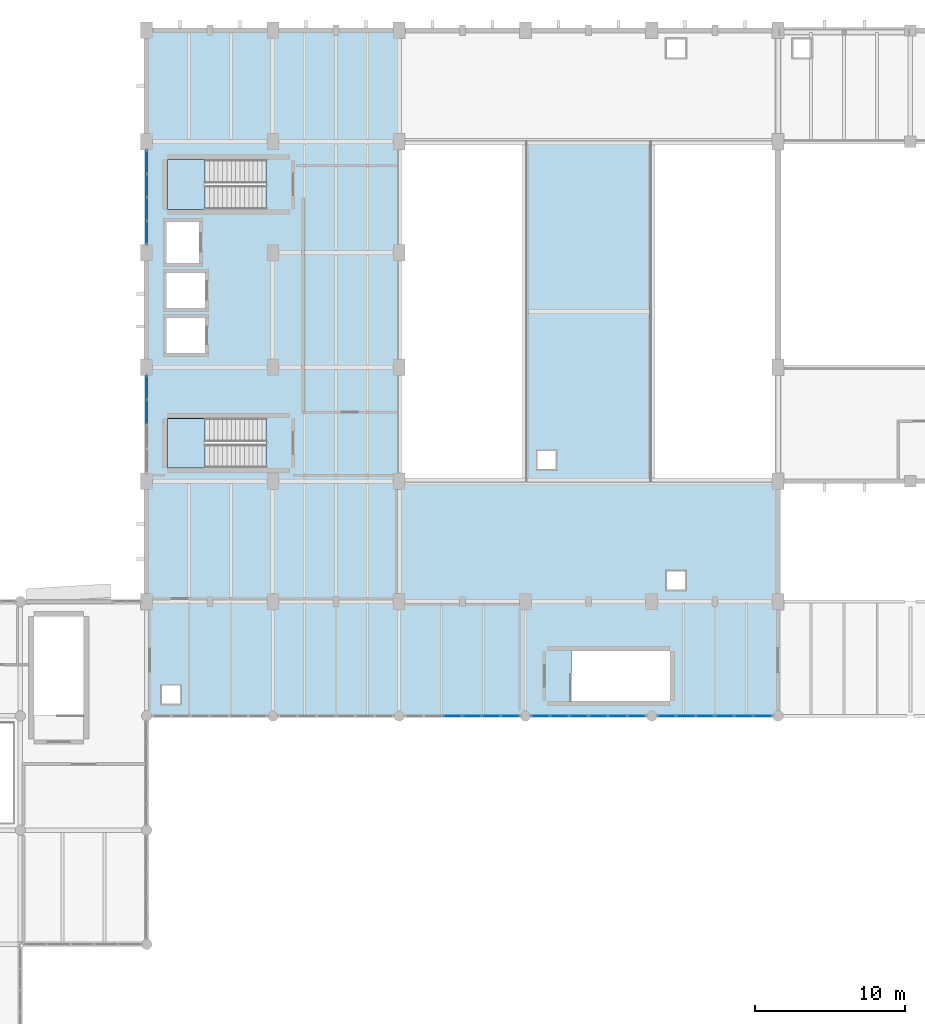
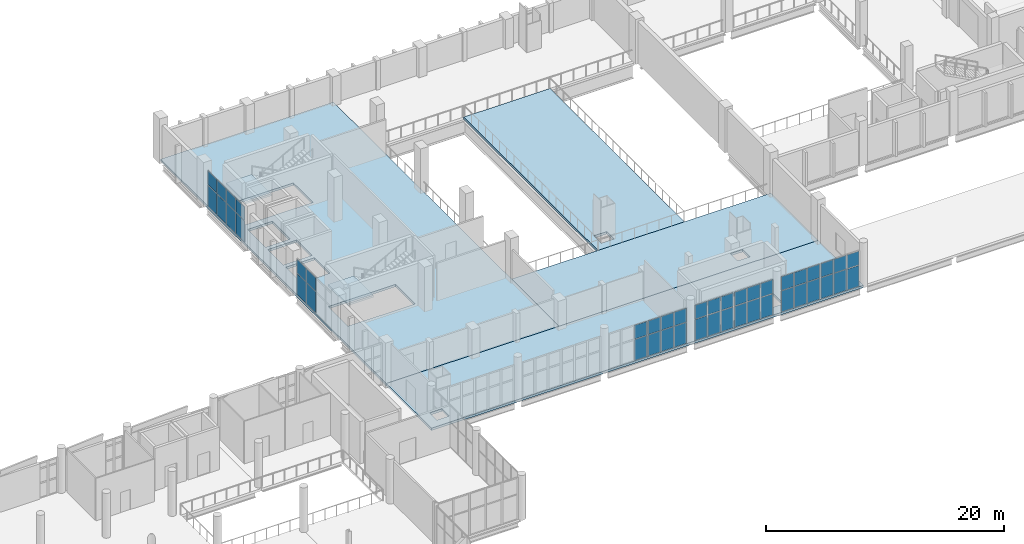
# One storey, part 52 of 74: 44 plates, 6 slabs, 10 elements without a shape of their own.
"""IFC4 building model written with IfcOpenShell, lengths in metres."""

from ifc_helpers import new_model, si_unit, direction, frame, origin, origin_2d, place, context, subcontext, project, spatial, polyline, rectangle, outline, extrude, material, layer, layer_set, type_object, element, aggregate, save


model = new_model("IFC4")

# Units and contexts
model_context = context("Model", 3, precision=1e-05, world=origin(), true_north=direction((0.0, 1.0)))
body_context = subcontext(model_context, "Body", "Model", "MODEL_VIEW")
ifc_project = project(units=[si_unit("LENGTHUNIT", "METRE"), si_unit("AREAUNIT", "SQUARE_METRE"), si_unit("VOLUMEUNIT", "CUBIC_METRE"), si_unit("PLANEANGLEUNIT", "RADIAN"), si_unit("MASSUNIT", "GRAM", prefix="KILO")], contexts=[model_context])

# Site, building, storey
site_placement = place(None, origin())
site = spatial("IfcSite", under=ifc_project, at=site_placement, CompositionType="ELEMENT")
building_placement = place(site_placement, origin())
building = spatial("IfcBuilding", under=site, at=building_placement, Name="Shengluoqiao Park Theatre", CompositionType="ELEMENT")
storey_placement = place(building_placement, frame((0.0, 0.0, 14.60009765625)))
storey = spatial("IfcBuildingStorey", under=building, at=storey_placement, Name="L03", CompositionType="ELEMENT", Elevation=14.60009765625)

# Curtain wall, plates
ifc_material_1 = material(Name="Aluminium 6063-T6", Category="aluminium")
curtain_wall_type_1 = type_object("IfcCurtainWallType", Name="ENV-CW-PROM", PredefinedType="NOTDEFINED", material=ifc_material_1)
curtain_wall_1_placement = place(storey_placement, origin())
curtain_wall_1 = element("IfcCurtainWall", 1, at=curtain_wall_1_placement, inside=storey, type_object=curtain_wall_type_1, Name="L03 Curtain Wall CW-L03-0085", PredefinedType="NOTDEFINED")
ifc_material_2 = material(Name="Insulated glass", Category="glass")
ifc_layer_1 = layer(ifc_material_2, 0.0380859375, Name="Insulated glass")
ifc_layer_set_1 = layer_set([ifc_layer_1], Name="Insulated glass")
plate_type_1 = type_object("IfcPlateType", Name="ENV-GLZ-GL-38", PredefinedType="CURTAIN_PANEL", material=ifc_layer_set_1)
plate_1_placement = place(storey_placement, frame((64.74267578125, 68.39990234375, 0.06494140625), z_axis=(0.0, 0.0, 1.0), x_axis=(1.0, 0.0, 0.0)))
plate_1 = element("IfcPlate", 2, at=plate_1_placement, type_object=plate_type_1, Name="CW-04 panel 3.1", PredefinedType="CURTAIN_PANEL", context=body_context, shape_type="SweptSolid", body=[
    extrude(rectangle(XDim=1.1845703125, YDim=0.0380859375, at=origin_2d()), origin(), (0.0, 0.0, 1.0), 2.1416015625),
])
plate_2_placement = place(storey_placement, frame((64.74267578125, 68.39990234375, 2.271484375), z_axis=(0.0, 0.0, 1.0), x_axis=(1.0, 0.0, 0.0)))
plate_2 = element("IfcPlate", 3, at=plate_2_placement, type_object=plate_type_1, Name="CW-04 panel 3.2", PredefinedType="CURTAIN_PANEL", context=body_context, shape_type="SweptSolid", body=[
    extrude(rectangle(XDim=1.1845703125, YDim=0.0380859375, at=origin_2d()), origin(), (0.0, 0.0, 1.0), 1.3955078125),
])
aggregate(curtain_wall_1, [plate_1, plate_2])

curtain_wall_2_placement = place(storey_placement, origin())
curtain_wall_2 = element("IfcCurtainWall", 4, at=curtain_wall_2_placement, inside=storey, type_object=curtain_wall_type_1, Name="L03 Curtain Wall CW-L03-0086", PredefinedType="NOTDEFINED")
plate_3_placement = place(storey_placement, frame((66.05712890625, 68.39990234375, 0.06494140625), z_axis=(0.0, 0.0, 1.0), x_axis=(1.0, 0.0, 0.0)))
plate_3 = element("IfcPlate", 5, at=plate_3_placement, type_object=plate_type_1, Name="CW-04 panel 1.1", PredefinedType="CURTAIN_PANEL", context=body_context, shape_type="SweptSolid", body=[
    extrude(rectangle(XDim=1.1845703125, YDim=0.0380859375, at=origin_2d()), origin(), (0.0, 0.0, 1.0), 2.1416015625),
])
plate_4_placement = place(storey_placement, frame((66.05712890625, 68.39990234375, 2.271484375), z_axis=(0.0, 0.0, 1.0), x_axis=(1.0, 0.0, 0.0)))
plate_4 = element("IfcPlate", 6, at=plate_4_placement, type_object=plate_type_1, Name="CW-04 panel 1.2", PredefinedType="CURTAIN_PANEL", context=body_context, shape_type="SweptSolid", body=[
    extrude(rectangle(XDim=1.1845703125, YDim=0.0380859375, at=origin_2d()), origin(), (0.0, 0.0, 1.0), 1.3955078125),
])
plate_5_placement = place(storey_placement, frame((67.322998046875, 68.39990234375, 0.06494140625), z_axis=(0.0, 0.0, 1.0), x_axis=(1.0, 0.0, 0.0)))
plate_5 = element("IfcPlate", 7, at=plate_5_placement, type_object=plate_type_1, Name="CW-04 panel 2.1", PredefinedType="CURTAIN_PANEL", context=body_context, shape_type="SweptSolid", body=[
    extrude(rectangle(XDim=1.217041015625, YDim=0.0380859375, at=origin_2d()), origin(), (0.0, 0.0, 1.0), 2.1416015625),
])
plate_6_placement = place(storey_placement, frame((67.322998046875, 68.39990234375, 2.271484375), z_axis=(0.0, 0.0, 1.0), x_axis=(1.0, 0.0, 0.0)))
plate_6 = element("IfcPlate", 8, at=plate_6_placement, type_object=plate_type_1, Name="CW-04 panel 2.2", PredefinedType="CURTAIN_PANEL", context=body_context, shape_type="SweptSolid", body=[
    extrude(rectangle(XDim=1.217041015625, YDim=0.0380859375, at=origin_2d()), origin(), (0.0, 0.0, 1.0), 1.3955078125),
])
plate_7_placement = place(storey_placement, frame((68.5888671875, 68.39990234375, 0.06494140625), z_axis=(0.0, 0.0, 1.0), x_axis=(1.0, 0.0, 0.0)))
plate_7 = element("IfcPlate", 9, at=plate_7_placement, type_object=plate_type_1, Name="CW-04 panel 3.1", PredefinedType="CURTAIN_PANEL", context=body_context, shape_type="SweptSolid", body=[
    extrude(rectangle(XDim=1.1845703125, YDim=0.0380859375, at=origin_2d()), origin(), (0.0, 0.0, 1.0), 2.1416015625),
])
plate_8_placement = place(storey_placement, frame((68.5888671875, 68.39990234375, 2.271484375), z_axis=(0.0, 0.0, 1.0), x_axis=(1.0, 0.0, 0.0)))
plate_8 = element("IfcPlate", 10, at=plate_8_placement, type_object=plate_type_1, Name="CW-04 panel 3.2", PredefinedType="CURTAIN_PANEL", context=body_context, shape_type="SweptSolid", body=[
    extrude(rectangle(XDim=1.1845703125, YDim=0.0380859375, at=origin_2d()), origin(), (0.0, 0.0, 1.0), 1.3955078125),
])
aggregate(curtain_wall_2, [plate_3, plate_4, plate_5, plate_6, plate_7, plate_8])

curtain_wall_3_placement = place(storey_placement, origin())
curtain_wall_3 = element("IfcCurtainWall", 11, at=curtain_wall_3_placement, inside=storey, type_object=curtain_wall_type_1, Name="L03 Curtain Wall CW-L03-0087", PredefinedType="NOTDEFINED")
plate_9_placement = place(storey_placement, frame((70.611328125, 68.39990234375, 0.06494140625), z_axis=(0.0, 0.0, 1.0), x_axis=(1.0, 0.0, 0.0)))
plate_9 = element("IfcPlate", 12, at=plate_9_placement, type_object=plate_type_1, Name="CW-04 panel 1.1", PredefinedType="CURTAIN_PANEL", context=body_context, shape_type="SweptSolid", body=[
    extrude(rectangle(XDim=1.1845703125, YDim=0.0380859375, at=origin_2d()), origin(), (0.0, 0.0, 1.0), 2.1416015625),
])
plate_10_placement = place(storey_placement, frame((70.611328125, 68.39990234375, 2.271484375), z_axis=(0.0, 0.0, 1.0), x_axis=(1.0, 0.0, 0.0)))
plate_10 = element("IfcPlate", 13, at=plate_10_placement, type_object=plate_type_1, Name="CW-04 panel 1.2", PredefinedType="CURTAIN_PANEL", context=body_context, shape_type="SweptSolid", body=[
    extrude(rectangle(XDim=1.1845703125, YDim=0.0380859375, at=origin_2d()), origin(), (0.0, 0.0, 1.0), 1.3955078125),
])
plate_11_placement = place(storey_placement, frame((71.876953125, 68.39990234375, 0.06494140625), z_axis=(0.0, 0.0, 1.0), x_axis=(1.0, 0.0, 0.0)))
plate_11 = element("IfcPlate", 14, at=plate_11_placement, type_object=plate_type_1, Name="CW-04 panel 2.1", PredefinedType="CURTAIN_PANEL", context=body_context, shape_type="SweptSolid", body=[
    extrude(rectangle(XDim=1.217041015625, YDim=0.0380859375, at=origin_2d()), origin(), (0.0, 0.0, 1.0), 2.1416015625),
])
plate_12_placement = place(storey_placement, frame((71.876953125, 68.39990234375, 2.271484375), z_axis=(0.0, 0.0, 1.0), x_axis=(1.0, 0.0, 0.0)))
plate_12 = element("IfcPlate", 15, at=plate_12_placement, type_object=plate_type_1, Name="CW-04 panel 2.2", PredefinedType="CURTAIN_PANEL", context=body_context, shape_type="SweptSolid", body=[
    extrude(rectangle(XDim=1.217041015625, YDim=0.0380859375, at=origin_2d()), origin(), (0.0, 0.0, 1.0), 1.3955078125),
])
plate_13_placement = place(storey_placement, frame((73.142822265625, 68.39990234375, 0.06494140625), z_axis=(0.0, 0.0, 1.0), x_axis=(1.0, 0.0, 0.0)))
plate_13 = element("IfcPlate", 16, at=plate_13_placement, type_object=plate_type_1, Name="CW-04 panel 3.1", PredefinedType="CURTAIN_PANEL", context=body_context, shape_type="SweptSolid", body=[
    extrude(rectangle(XDim=1.1845703125, YDim=0.0380859375, at=origin_2d()), origin(), (0.0, 0.0, 1.0), 2.1416015625),
])
plate_14_placement = place(storey_placement, frame((73.142822265625, 68.39990234375, 2.271484375), z_axis=(0.0, 0.0, 1.0), x_axis=(1.0, 0.0, 0.0)))
plate_14 = element("IfcPlate", 17, at=plate_14_placement, type_object=plate_type_1, Name="CW-04 panel 3.2", PredefinedType="CURTAIN_PANEL", context=body_context, shape_type="SweptSolid", body=[
    extrude(rectangle(XDim=1.1845703125, YDim=0.0380859375, at=origin_2d()), origin(), (0.0, 0.0, 1.0), 1.3955078125),
])
aggregate(curtain_wall_3, [plate_9, plate_10, plate_11, plate_12, plate_13, plate_14])

curtain_wall_4_placement = place(storey_placement, origin())
curtain_wall_4 = element("IfcCurtainWall", 18, at=curtain_wall_4_placement, inside=storey, type_object=curtain_wall_type_1, Name="L03 Curtain Wall CW-L03-0088", PredefinedType="NOTDEFINED")
plate_15_placement = place(storey_placement, frame((74.457275390625, 68.39990234375, 0.06494140625), z_axis=(0.0, 0.0, 1.0), x_axis=(1.0, 0.0, 0.0)))
plate_15 = element("IfcPlate", 19, at=plate_15_placement, type_object=plate_type_1, Name="CW-04 panel 1.1", PredefinedType="CURTAIN_PANEL", context=body_context, shape_type="SweptSolid", body=[
    extrude(rectangle(XDim=1.1845703125, YDim=0.0380859375, at=origin_2d()), origin(), (0.0, 0.0, 1.0), 2.1416015625),
])
plate_16_placement = place(storey_placement, frame((74.457275390625, 68.39990234375, 2.271484375), z_axis=(0.0, 0.0, 1.0), x_axis=(1.0, 0.0, 0.0)))
plate_16 = element("IfcPlate", 20, at=plate_16_placement, type_object=plate_type_1, Name="CW-04 panel 1.2", PredefinedType="CURTAIN_PANEL", context=body_context, shape_type="SweptSolid", body=[
    extrude(rectangle(XDim=1.1845703125, YDim=0.0380859375, at=origin_2d()), origin(), (0.0, 0.0, 1.0), 1.3955078125),
])
plate_17_placement = place(storey_placement, frame((75.722900390625, 68.39990234375, 0.06494140625), z_axis=(0.0, 0.0, 1.0), x_axis=(1.0, 0.0, 0.0)))
plate_17 = element("IfcPlate", 21, at=plate_17_placement, type_object=plate_type_1, Name="CW-04 panel 2.1", PredefinedType="CURTAIN_PANEL", context=body_context, shape_type="SweptSolid", body=[
    extrude(rectangle(XDim=1.217041015625, YDim=0.0380859375, at=origin_2d()), origin(), (0.0, 0.0, 1.0), 2.1416015625),
])
plate_18_placement = place(storey_placement, frame((75.722900390625, 68.39990234375, 2.271484375), z_axis=(0.0, 0.0, 1.0), x_axis=(1.0, 0.0, 0.0)))
plate_18 = element("IfcPlate", 22, at=plate_18_placement, type_object=plate_type_1, Name="CW-04 panel 2.2", PredefinedType="CURTAIN_PANEL", context=body_context, shape_type="SweptSolid", body=[
    extrude(rectangle(XDim=1.217041015625, YDim=0.0380859375, at=origin_2d()), origin(), (0.0, 0.0, 1.0), 1.3955078125),
])
plate_19_placement = place(storey_placement, frame((76.98876953125, 68.39990234375, 0.06494140625), z_axis=(0.0, 0.0, 1.0), x_axis=(1.0, 0.0, 0.0)))
plate_19 = element("IfcPlate", 23, at=plate_19_placement, type_object=plate_type_1, Name="CW-04 panel 3.1", PredefinedType="CURTAIN_PANEL", context=body_context, shape_type="SweptSolid", body=[
    extrude(rectangle(XDim=1.1845703125, YDim=0.0380859375, at=origin_2d()), origin(), (0.0, 0.0, 1.0), 2.1416015625),
])
plate_20_placement = place(storey_placement, frame((76.98876953125, 68.39990234375, 2.271484375), z_axis=(0.0, 0.0, 1.0), x_axis=(1.0, 0.0, 0.0)))
plate_20 = element("IfcPlate", 24, at=plate_20_placement, type_object=plate_type_1, Name="CW-04 panel 3.2", PredefinedType="CURTAIN_PANEL", context=body_context, shape_type="SweptSolid", body=[
    extrude(rectangle(XDim=1.1845703125, YDim=0.0380859375, at=origin_2d()), origin(), (0.0, 0.0, 1.0), 1.3955078125),
])
aggregate(curtain_wall_4, [plate_15, plate_16, plate_17, plate_18, plate_19, plate_20])

curtain_wall_5_placement = place(storey_placement, origin())
curtain_wall_5 = element("IfcCurtainWall", 25, at=curtain_wall_5_placement, inside=storey, type_object=curtain_wall_type_1, Name="L03 Curtain Wall CW-L03-0089", PredefinedType="NOTDEFINED")
plate_21_placement = place(storey_placement, frame((79.01123046875, 68.39990234375, 0.06494140625), z_axis=(0.0, 0.0, 1.0), x_axis=(1.0, 0.0, 0.0)))
plate_21 = element("IfcPlate", 26, at=plate_21_placement, type_object=plate_type_1, Name="CW-04 panel 1.1", PredefinedType="CURTAIN_PANEL", context=body_context, shape_type="SweptSolid", body=[
    extrude(rectangle(XDim=1.1845703125, YDim=0.0380859375, at=origin_2d()), origin(), (0.0, 0.0, 1.0), 2.1416015625),
])
plate_22_placement = place(storey_placement, frame((79.01123046875, 68.39990234375, 2.271484375), z_axis=(0.0, 0.0, 1.0), x_axis=(1.0, 0.0, 0.0)))
plate_22 = element("IfcPlate", 27, at=plate_22_placement, type_object=plate_type_1, Name="CW-04 panel 1.2", PredefinedType="CURTAIN_PANEL", context=body_context, shape_type="SweptSolid", body=[
    extrude(rectangle(XDim=1.1845703125, YDim=0.0380859375, at=origin_2d()), origin(), (0.0, 0.0, 1.0), 1.3955078125),
])
plate_23_placement = place(storey_placement, frame((80.277099609375, 68.39990234375, 0.06494140625), z_axis=(0.0, 0.0, 1.0), x_axis=(1.0, 0.0, 0.0)))
plate_23 = element("IfcPlate", 28, at=plate_23_placement, type_object=plate_type_1, Name="CW-04 panel 2.1", PredefinedType="CURTAIN_PANEL", context=body_context, shape_type="SweptSolid", body=[
    extrude(rectangle(XDim=1.217041015625, YDim=0.0380859375, at=origin_2d()), origin(), (0.0, 0.0, 1.0), 2.1416015625),
])
plate_24_placement = place(storey_placement, frame((80.277099609375, 68.39990234375, 2.271484375), z_axis=(0.0, 0.0, 1.0), x_axis=(1.0, 0.0, 0.0)))
plate_24 = element("IfcPlate", 29, at=plate_24_placement, type_object=plate_type_1, Name="CW-04 panel 2.2", PredefinedType="CURTAIN_PANEL", context=body_context, shape_type="SweptSolid", body=[
    extrude(rectangle(XDim=1.217041015625, YDim=0.0380859375, at=origin_2d()), origin(), (0.0, 0.0, 1.0), 1.3955078125),
])
plate_25_placement = place(storey_placement, frame((81.542724609375, 68.39990234375, 0.06494140625), z_axis=(0.0, 0.0, 1.0), x_axis=(1.0, 0.0, 0.0)))
plate_25 = element("IfcPlate", 30, at=plate_25_placement, type_object=plate_type_1, Name="CW-04 panel 3.1", PredefinedType="CURTAIN_PANEL", context=body_context, shape_type="SweptSolid", body=[
    extrude(rectangle(XDim=1.1845703125, YDim=0.0380859375, at=origin_2d()), origin(), (0.0, 0.0, 1.0), 2.1416015625),
])
plate_26_placement = place(storey_placement, frame((81.542724609375, 68.39990234375, 2.271484375), z_axis=(0.0, 0.0, 1.0), x_axis=(1.0, 0.0, 0.0)))
plate_26 = element("IfcPlate", 31, at=plate_26_placement, type_object=plate_type_1, Name="CW-04 panel 3.2", PredefinedType="CURTAIN_PANEL", context=body_context, shape_type="SweptSolid", body=[
    extrude(rectangle(XDim=1.1845703125, YDim=0.0380859375, at=origin_2d()), origin(), (0.0, 0.0, 1.0), 1.3955078125),
])
aggregate(curtain_wall_5, [plate_21, plate_22, plate_23, plate_24, plate_25, plate_26])

curtain_wall_6_placement = place(storey_placement, origin())
curtain_wall_6 = element("IfcCurtainWall", 32, at=curtain_wall_6_placement, inside=storey, type_object=curtain_wall_type_1, Name="L03 Curtain Wall CW-L03-0090", PredefinedType="NOTDEFINED")
plate_27_placement = place(storey_placement, frame((82.857177734375, 68.39990234375, 0.06494140625), z_axis=(0.0, 0.0, 1.0), x_axis=(1.0, 0.0, 0.0)))
plate_27 = element("IfcPlate", 33, at=plate_27_placement, type_object=plate_type_1, Name="CW-04 panel 1.1", PredefinedType="CURTAIN_PANEL", context=body_context, shape_type="SweptSolid", body=[
    extrude(rectangle(XDim=1.1845703125, YDim=0.0380859375, at=origin_2d()), origin(), (0.0, 0.0, 1.0), 2.1416015625),
])
plate_28_placement = place(storey_placement, frame((82.857177734375, 68.39990234375, 2.271484375), z_axis=(0.0, 0.0, 1.0), x_axis=(1.0, 0.0, 0.0)))
plate_28 = element("IfcPlate", 34, at=plate_28_placement, type_object=plate_type_1, Name="CW-04 panel 1.2", PredefinedType="CURTAIN_PANEL", context=body_context, shape_type="SweptSolid", body=[
    extrude(rectangle(XDim=1.1845703125, YDim=0.0380859375, at=origin_2d()), origin(), (0.0, 0.0, 1.0), 1.3955078125),
])
plate_29_placement = place(storey_placement, frame((84.123046875, 68.39990234375, 0.06494140625), z_axis=(0.0, 0.0, 1.0), x_axis=(1.0, 0.0, 0.0)))
plate_29 = element("IfcPlate", 35, at=plate_29_placement, type_object=plate_type_1, Name="CW-04 panel 2.1", PredefinedType="CURTAIN_PANEL", context=body_context, shape_type="SweptSolid", body=[
    extrude(rectangle(XDim=1.217041015625, YDim=0.0380859375, at=origin_2d()), origin(), (0.0, 0.0, 1.0), 2.1416015625),
])
plate_30_placement = place(storey_placement, frame((84.123046875, 68.39990234375, 2.271484375), z_axis=(0.0, 0.0, 1.0), x_axis=(1.0, 0.0, 0.0)))
plate_30 = element("IfcPlate", 36, at=plate_30_placement, type_object=plate_type_1, Name="CW-04 panel 2.2", PredefinedType="CURTAIN_PANEL", context=body_context, shape_type="SweptSolid", body=[
    extrude(rectangle(XDim=1.217041015625, YDim=0.0380859375, at=origin_2d()), origin(), (0.0, 0.0, 1.0), 1.3955078125),
])
plate_31_placement = place(storey_placement, frame((85.388671875, 68.39990234375, 0.06494140625), z_axis=(0.0, 0.0, 1.0), x_axis=(1.0, 0.0, 0.0)))
plate_31 = element("IfcPlate", 37, at=plate_31_placement, type_object=plate_type_1, Name="CW-04 panel 3.1", PredefinedType="CURTAIN_PANEL", context=body_context, shape_type="SweptSolid", body=[
    extrude(rectangle(XDim=1.1845703125, YDim=0.0380859375, at=origin_2d()), origin(), (0.0, 0.0, 1.0), 2.1416015625),
])
plate_32_placement = place(storey_placement, frame((85.388671875, 68.39990234375, 2.271484375), z_axis=(0.0, 0.0, 1.0), x_axis=(1.0, 0.0, 0.0)))
plate_32 = element("IfcPlate", 38, at=plate_32_placement, type_object=plate_type_1, Name="CW-04 panel 3.2", PredefinedType="CURTAIN_PANEL", context=body_context, shape_type="SweptSolid", body=[
    extrude(rectangle(XDim=1.1845703125, YDim=0.0380859375, at=origin_2d()), origin(), (0.0, 0.0, 1.0), 1.3955078125),
])
aggregate(curtain_wall_6, [plate_27, plate_28, plate_29, plate_30, plate_31, plate_32])

curtain_wall_type_2 = type_object("IfcCurtainWallType", Name="ENV-CW-CLERE", PredefinedType="NOTDEFINED", material=ifc_material_1)
curtain_wall_7_placement = place(storey_placement, origin())
curtain_wall_7 = element("IfcCurtainWall", 39, at=curtain_wall_7_placement, inside=storey, type_object=curtain_wall_type_2, Name="L03 Curtain Wall CW-L03-0007", PredefinedType="NOTDEFINED")
ifc_layer_2 = layer(ifc_material_2, 0.048095703125, Name="Insulated glass")
ifc_layer_set_2 = layer_set([ifc_layer_2], Name="Insulated glass")
plate_type_2 = type_object("IfcPlateType", Name="ENV-GLZ-GL-48", PredefinedType="CURTAIN_PANEL", material=ifc_layer_set_2)
plate_33_placement = place(storey_placement, frame((44.39990234375, 88.611572265625, 0.06494140625), z_axis=(0.0, 0.0, 1.0), x_axis=(0.0, 1.0, 0.0)))
plate_33 = element("IfcPlate", 40, at=plate_33_placement, type_object=plate_type_2, Name="CW-06 panel 3.1", PredefinedType="CURTAIN_PANEL", context=body_context, shape_type="SweptSolid", body=[
    extrude(rectangle(XDim=1.55810546875, YDim=0.048095703125, at=origin_2d()), origin(), (0.0, 0.0, 1.0), 2.152587890625),
])
plate_34_placement = place(storey_placement, frame((44.39990234375, 88.611572265625, 2.2822265625), z_axis=(0.0, 0.0, 1.0), x_axis=(0.0, 1.0, 0.0)))
plate_34 = element("IfcPlate", 41, at=plate_34_placement, type_object=plate_type_2, Name="CW-06 panel 3.2", PredefinedType="CURTAIN_PANEL", context=body_context, shape_type="SweptSolid", body=[
    extrude(rectangle(XDim=1.55810546875, YDim=0.048095703125, at=origin_2d()), origin(), (0.0, 0.0, 1.0), 1.402587890625),
])
plate_35_placement = place(storey_placement, frame((44.39990234375, 90.21826171875, 0.06494140625), z_axis=(0.0, 0.0, 1.0), x_axis=(0.0, 1.0, 0.0)))
plate_35 = element("IfcPlate", 42, at=plate_35_placement, type_object=plate_type_2, Name="CW-06 panel 4.1", PredefinedType="CURTAIN_PANEL", context=body_context, shape_type="SweptSolid", body=[
    extrude(rectangle(XDim=1.525390625, YDim=0.048095703125, at=origin_2d()), origin(), (0.0, 0.0, 1.0), 2.152587890625),
])
plate_36_placement = place(storey_placement, frame((44.39990234375, 90.21826171875, 2.2822265625), z_axis=(0.0, 0.0, 1.0), x_axis=(0.0, 1.0, 0.0)))
plate_36 = element("IfcPlate", 43, at=plate_36_placement, type_object=plate_type_2, Name="CW-06 panel 4.2", PredefinedType="CURTAIN_PANEL", context=body_context, shape_type="SweptSolid", body=[
    extrude(rectangle(XDim=1.525390625, YDim=0.048095703125, at=origin_2d()), origin(), (0.0, 0.0, 1.0), 1.402587890625),
])
aggregate(curtain_wall_7, [plate_33, plate_34, plate_35, plate_36])

curtain_wall_8_placement = place(storey_placement, origin())
curtain_wall_8 = element("IfcCurtainWall", 44, at=curtain_wall_8_placement, inside=storey, type_object=curtain_wall_type_2, Name="L03 Curtain Wall CW-L03-0008", PredefinedType="NOTDEFINED")
plate_37_placement = place(storey_placement, frame((44.39990234375, 100.556640625, 0.06494140625), z_axis=(0.0, 0.0, 1.0), x_axis=(0.0, 1.0, 0.0)))
plate_37 = element("IfcPlate", 45, at=plate_37_placement, type_object=plate_type_2, Name="CW-06 panel 1.1", PredefinedType="CURTAIN_PANEL", context=body_context, shape_type="SweptSolid", body=[
    extrude(rectangle(XDim=1.4755859375, YDim=0.048095703125, at=origin_2d()), origin(), (0.0, 0.0, 1.0), 2.152587890625),
])
plate_38_placement = place(storey_placement, frame((44.39990234375, 100.556640625, 2.2822265625), z_axis=(0.0, 0.0, 1.0), x_axis=(0.0, 1.0, 0.0)))
plate_38 = element("IfcPlate", 46, at=plate_38_placement, type_object=plate_type_2, Name="CW-06 panel 1.2", PredefinedType="CURTAIN_PANEL", context=body_context, shape_type="SweptSolid", body=[
    extrude(rectangle(XDim=1.4755859375, YDim=0.048095703125, at=origin_2d()), origin(), (0.0, 0.0, 1.0), 1.402587890625),
])
plate_39_placement = place(storey_placement, frame((44.39990234375, 102.113525390625, 0.06494140625), z_axis=(0.0, 0.0, 1.0), x_axis=(0.0, 1.0, 0.0)))
plate_39 = element("IfcPlate", 47, at=plate_39_placement, type_object=plate_type_2, Name="CW-06 panel 2.1", PredefinedType="CURTAIN_PANEL", context=body_context, shape_type="SweptSolid", body=[
    extrude(rectangle(XDim=1.508056640625, YDim=0.048095703125, at=origin_2d()), origin(), (0.0, 0.0, 1.0), 2.152587890625),
])
plate_40_placement = place(storey_placement, frame((44.39990234375, 102.113525390625, 2.2822265625), z_axis=(0.0, 0.0, 1.0), x_axis=(0.0, 1.0, 0.0)))
plate_40 = element("IfcPlate", 48, at=plate_40_placement, type_object=plate_type_2, Name="CW-06 panel 2.2", PredefinedType="CURTAIN_PANEL", context=body_context, shape_type="SweptSolid", body=[
    extrude(rectangle(XDim=1.508056640625, YDim=0.048095703125, at=origin_2d()), origin(), (0.0, 0.0, 1.0), 1.402587890625),
])
plate_41_placement = place(storey_placement, frame((44.39990234375, 103.6865234375, 0.06494140625), z_axis=(0.0, 0.0, 1.0), x_axis=(0.0, 1.0, 0.0)))
plate_41 = element("IfcPlate", 49, at=plate_41_placement, type_object=plate_type_2, Name="CW-06 panel 3.1", PredefinedType="CURTAIN_PANEL", context=body_context, shape_type="SweptSolid", body=[
    extrude(rectangle(XDim=1.508056640625, YDim=0.048095703125, at=origin_2d()), origin(), (0.0, 0.0, 1.0), 2.152587890625),
])
plate_42_placement = place(storey_placement, frame((44.39990234375, 103.6865234375, 2.2822265625), z_axis=(0.0, 0.0, 1.0), x_axis=(0.0, 1.0, 0.0)))
plate_42 = element("IfcPlate", 50, at=plate_42_placement, type_object=plate_type_2, Name="CW-06 panel 3.2", PredefinedType="CURTAIN_PANEL", context=body_context, shape_type="SweptSolid", body=[
    extrude(rectangle(XDim=1.508056640625, YDim=0.048095703125, at=origin_2d()), origin(), (0.0, 0.0, 1.0), 1.402587890625),
])
plate_43_placement = place(storey_placement, frame((44.39990234375, 105.2431640625, 0.06494140625), z_axis=(0.0, 0.0, 1.0), x_axis=(0.0, 1.0, 0.0)))
plate_43 = element("IfcPlate", 51, at=plate_43_placement, type_object=plate_type_2, Name="CW-06 panel 4.1", PredefinedType="CURTAIN_PANEL", context=body_context, shape_type="SweptSolid", body=[
    extrude(rectangle(XDim=1.4755859375, YDim=0.048095703125, at=origin_2d()), origin(), (0.0, 0.0, 1.0), 2.152587890625),
])
plate_44_placement = place(storey_placement, frame((44.39990234375, 105.2431640625, 2.2822265625), z_axis=(0.0, 0.0, 1.0), x_axis=(0.0, 1.0, 0.0)))
plate_44 = element("IfcPlate", 52, at=plate_44_placement, type_object=plate_type_2, Name="CW-06 panel 4.2", PredefinedType="CURTAIN_PANEL", context=body_context, shape_type="SweptSolid", body=[
    extrude(rectangle(XDim=1.4755859375, YDim=0.048095703125, at=origin_2d()), origin(), (0.0, 0.0, 1.0), 1.402587890625),
])
aggregate(curtain_wall_8, [plate_37, plate_38, plate_39, plate_40, plate_41, plate_42, plate_43, plate_44])

# Stair, slab
ifc_material_3 = material(Name="Concrete C40", Category="concrete")
stair_type = type_object("IfcStairType", Name="INT-STR-CORE", PredefinedType="HALF_TURN_STAIR", material=ifc_material_3)
stair_1_placement = place(storey_placement, origin())
stair_1 = element("IfcStair", 53, at=stair_1_placement, inside=storey, type_object=stair_type, Name="L03 Auditorium South-West Escape Stair 02", PredefinedType="HALF_TURN_STAIR")
ifc_layer_3 = layer(ifc_material_3, 0.169921875, Name="Concrete C40")
ifc_layer_set_3 = layer_set([ifc_layer_3], Name="Concrete C40")
slab_type_1 = type_object("IfcSlabType", Name="INT-LND-SL-170", PredefinedType="LANDING", material=ifc_layer_set_3)
slab_1_placement = place(storey_placement, frame((0.0, 0.0, 2.099853515625)))
slab_1 = element("IfcSlab", 54, at=slab_1_placement, type_object=slab_type_1, Name="ST-02 landing 1", PredefinedType="LANDING", context=body_context, shape_type="SweptSolid", body=[
    extrude(outline(polyline([(48.2900390625, 88.199951171875), (45.800048828125, 88.199951171875), (45.800048828125, 84.89990234375), (48.2900390625, 84.89990234375), (48.2900390625, 88.199951171875)])), origin(), (0.0, 0.0, 1.0), 0.199951171875),
])
aggregate(stair_1, [slab_1])

stair_2_placement = place(storey_placement, origin())
stair_2 = element("IfcStair", 55, at=stair_2_placement, inside=storey, type_object=stair_type, Name="L03 Auditorium North-West Escape Stair 03", PredefinedType="HALF_TURN_STAIR")
ifc_layer_4 = layer(ifc_material_3, 0.199951171875, Name="Concrete C40")
ifc_layer_set_4 = layer_set([ifc_layer_4], Name="Concrete C40")
slab_type_2 = type_object("IfcSlabType", Name="INT-LND-SL-200", PredefinedType="LANDING", material=ifc_layer_set_4)
slab_2_placement = place(storey_placement, frame((0.0, 0.0, 2.099853515625)))
slab_2 = element("IfcSlab", 56, at=slab_2_placement, type_object=slab_type_2, Name="ST-03 landing 1", PredefinedType="LANDING", context=body_context, shape_type="SweptSolid", body=[
    extrude(outline(polyline([(48.2900390625, 105.39990234375), (45.800048828125, 105.39990234375), (45.800048828125, 102.10009765625), (48.2900390625, 102.10009765625), (48.2900390625, 105.39990234375)])), origin(), (0.0, 0.0, 1.0), 0.199951171875),
])
aggregate(stair_2, [slab_2])

# Slabs
ifc_material_4 = material(Name="Concrete C35", Category="concrete")
ifc_layer_5 = layer(ifc_material_4, 0.25, Name="Concrete C35")
ifc_layer_set_5 = layer_set([ifc_layer_5], Name="Concrete C35")
slab_type_3 = type_object("IfcSlabType", Name="STR-SLB-CAT250", PredefinedType="FLOOR", material=ifc_layer_set_5)
slab_3_placement = place(storey_placement, frame((0.0, 0.0, -0.25)))
element("IfcSlab", 57, at=slab_3_placement, inside=storey, type_object=slab_type_3, Name="Floor Slab L03-V1-LB1", PredefinedType="FLOOR", context=body_context, shape_type="SweptSolid", body=[
    extrude(outline(polyline([(69.60009765625, 84.0), (69.60009765625, 106.60009765625), (78.0, 106.60009765625), (78.0, 84.0), (69.60009765625, 84.0)]), holes=[polyline([(71.6201171875, 84.800048828125), (71.6201171875, 86.02001953125), (70.39990234375, 86.02001953125), (70.39990234375, 84.800048828125), (71.6201171875, 84.800048828125)])]), origin(), (0.0, 0.0, 1.0), 0.25),
])
slab_4_placement = place(storey_placement, frame((0.0, 0.0, -0.25)))
element("IfcSlab", 58, at=slab_4_placement, inside=storey, type_object=slab_type_3, Name="Floor Slab L03-V1-BOXS", PredefinedType="FLOOR", context=body_context, shape_type="SweptSolid", body=[
    extrude(outline(polyline([(61.199951171875, 76.0), (61.199951171875, 84.0), (86.39990234375, 84.0), (86.39990234375, 76.0), (61.199951171875, 76.0)]), holes=[polyline([(80.219970703125, 76.800048828125), (80.219970703125, 78.02001953125), (79.0, 78.02001953125), (79.0, 76.800048828125), (80.219970703125, 76.800048828125)])]), origin(), (0.0, 0.0, 1.0), 0.25),
])
ifc_layer_6 = layer(ifc_material_4, 0.239990234375, Name="Concrete C35")
ifc_layer_set_6 = layer_set([ifc_layer_6], Name="Concrete C35")
slab_type_4 = type_object("IfcSlabType", Name="STR-SLB-FL240", PredefinedType="FLOOR", material=ifc_layer_set_6)
slab_5_placement = place(storey_placement, frame((0.0, 0.0, -0.239990234375)))
element("IfcSlab", 59, at=slab_5_placement, inside=storey, type_object=slab_type_4, Name="Floor Slab L03-V1-CTRL", PredefinedType="FLOOR", context=body_context, shape_type="SweptSolid", body=[
    extrude(outline(polyline([(44.39990234375, 76.0), (44.39990234375, 114.0), (61.199951171875, 114.0), (61.199951171875, 76.0), (44.39990234375, 76.0)]), holes=[polyline([(52.345947265625, 88.199951171875), (45.800048828125, 88.199951171875), (45.800048828125, 84.89990234375), (52.345947265625, 84.89990234375), (52.345947265625, 88.199951171875)]), polyline([(48.39990234375, 92.39990234375), (48.39990234375, 95.0), (45.60009765625, 95.0), (45.60009765625, 92.39990234375), (48.39990234375, 92.39990234375)]), polyline([(48.39990234375, 95.39990234375), (48.39990234375, 98.0), (45.60009765625, 98.0), (45.60009765625, 95.39990234375), (48.39990234375, 95.39990234375)]), polyline([(48.0, 98.39990234375), (48.0, 101.39990234375), (45.60009765625, 101.39990234375), (45.60009765625, 98.39990234375), (48.0, 98.39990234375)]), polyline([(52.345947265625, 105.39990234375), (45.800048828125, 105.39990234375), (45.800048828125, 102.10009765625), (52.345947265625, 102.10009765625), (52.345947265625, 105.39990234375)])]), origin(), (0.0, 0.0, 1.0), 0.239990234375),
])
slab_6_placement = place(storey_placement, frame((0.0, 0.0, -0.239990234375)))
element("IfcSlab", 60, at=slab_6_placement, inside=storey, type_object=slab_type_4, Name="Floor Slab L03-V5-PROM", PredefinedType="FLOOR", context=body_context, shape_type="SweptSolid", body=[
    extrude(outline(polyline([(44.39990234375, 68.39990234375), (44.39990234375, 76.0), (86.39990234375, 76.0), (86.39990234375, 68.39990234375), (44.39990234375, 68.39990234375)]), holes=[polyline([(46.6201171875, 69.199951171875), (46.6201171875, 70.419921875), (45.39990234375, 70.419921875), (45.39990234375, 69.199951171875), (46.6201171875, 69.199951171875)]), polyline([(79.199951171875, 69.39990234375), (79.199951171875, 72.699951171875), (72.654052734375, 72.699951171875), (72.654052734375, 69.39990234375), (79.199951171875, 69.39990234375)])]), origin(), (0.0, 0.0, 1.0), 0.239990234375),
])

save(model, "model.ifc")
